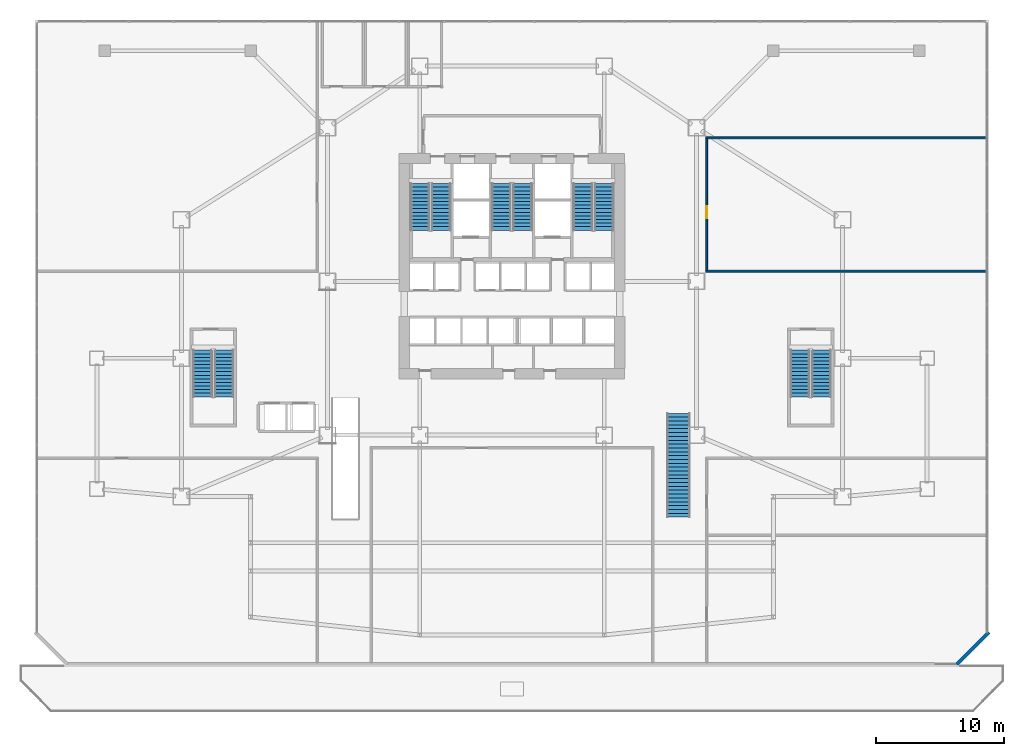
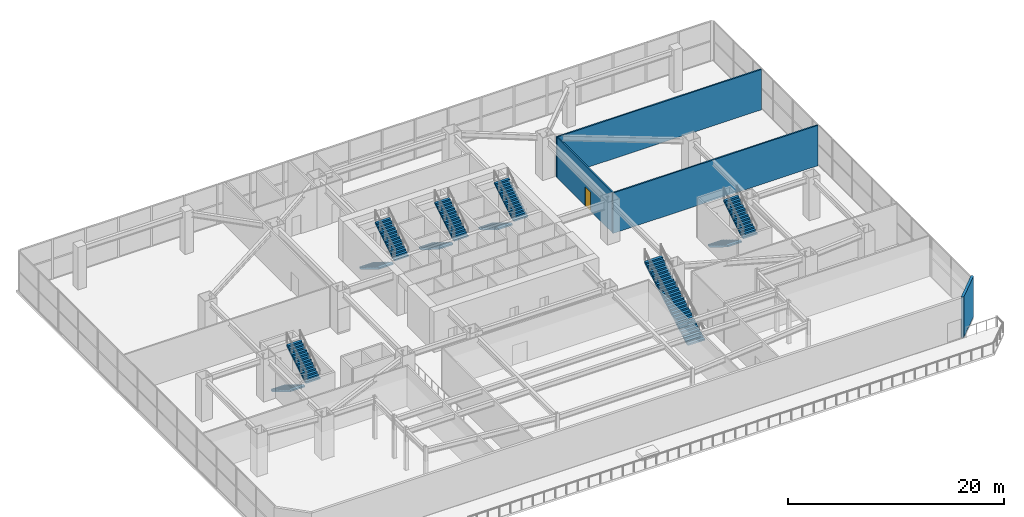
# One storey, part 26 of 31: 11 stair flights, 4 walls, 1 door, 1 opening, 6 elements without a shape of their own.
"""IFC4 building model written with IfcOpenShell, lengths in metres."""

from ifc_helpers import new_model, si_unit, direction, frame, frame_2d, origin, place, context, subcontext, project, spatial, polyline, rectangle, outline, extrude, material, layer, layer_set, type_object, element, fill, aggregate, save


model = new_model("IFC4")

# Units and contexts
model_context = context("Model", 3, precision=1e-05, world=origin(), true_north=direction((0.0, 1.0)))
body_context = subcontext(model_context, "Body", "Model", "MODEL_VIEW")
ifc_project = project(units=[si_unit("LENGTHUNIT", "METRE"), si_unit("AREAUNIT", "SQUARE_METRE"), si_unit("VOLUMEUNIT", "CUBIC_METRE"), si_unit("PLANEANGLEUNIT", "RADIAN"), si_unit("MASSUNIT", "GRAM", prefix="KILO")], contexts=[model_context])

# Site, building, storey
site_placement = place(None, origin())
site = spatial("IfcSite", under=ifc_project, at=site_placement, CompositionType="ELEMENT")
building_placement = place(site_placement, origin())
building = spatial("IfcBuilding", under=site, at=building_placement, Name="Haolan Belvedere Tower", CompositionType="ELEMENT")
storey_placement = place(building_placement, frame((0.0, 0.0, 5.39990234375)))
storey = spatial("IfcBuildingStorey", under=building, at=storey_placement, Name="L01", CompositionType="ELEMENT", Elevation=5.39990234375)

# Walls
ifc_material_1 = material(Name="Precast concrete C40/50", Category="concrete")
ifc_layer_1 = layer(ifc_material_1, 0.260009765625, Name="Precast concrete C40/50")
ifc_layer_set_1 = layer_set([ifc_layer_1], Name="Precast concrete C40/50")
wall_type_1 = type_object("IfcWallType", Name="WL-EXT-260", PredefinedType="SOLIDWALL", material=ifc_layer_set_1)
wall_1_placement = place(storey_placement, frame((73.107421875, 3.691162109375, 0.0), z_axis=(0.0, 0.0, 1.0), x_axis=(0.707106781187, 0.707106781187, 0.0)))
element("IfcWall", 1, at=wall_1_placement, inside=storey, type_object=wall_type_1, Name="L01 pale-metal exterior spandrel wall 1.1", PredefinedType="SOLIDWALL", context=body_context, shape_type="SweptSolid", body=[
    extrude(rectangle(XDim=3.566162109375, YDim=0.260009765625, at=frame_2d((1.783203125, 0.0))), origin(), (0.0, 0.0, 1.0), 4.56005859375),
])
ifc_material_2 = material(Name="Double gypsum acoustic stud partition", Category="masonry")
ifc_layer_2 = layer(ifc_material_2, 0.14990234375, Name="Double gypsum acoustic stud partition")
ifc_layer_set_2 = layer_set([ifc_layer_2], Name="Double gypsum acoustic stud partition")
wall_type_2 = type_object("IfcWallType", Name="WL-PART-150", PredefinedType="PARTITIONING", material=ifc_layer_set_2)
for number, where, z_axis, x_axis, name in (
    (2, (53.52001953125, 44.800048828125, 0.0), (0.0, 0.0, 1.0), (1.0, 0.0, 0.0), "L01 interior partition IW-L01-WINE-N"),
    (3, (53.52001953125, 34.39990234375, 0.0), (0.0, 0.0, 1.0), (1.0, 0.0, 0.0), "L01 interior partition IW-L01-WINE-S"),
):
    element("IfcWall", number, at=place(storey_placement, frame(where, z_axis=z_axis, x_axis=x_axis)), inside=storey, type_object=wall_type_2, Name=name, PredefinedType="PARTITIONING", context=body_context, shape_type="SweptSolid", body=[
        extrude(rectangle(XDim=21.867919921875, YDim=0.14990234375, at=frame_2d((10.93408203125, 0.0))), origin(), (0.0, 0.0, 1.0), 4.56005859375),
    ])

# Wall, opening, door
wall_2_placement = place(storey_placement, frame((53.60009765625, 34.4599609375, 0.0), z_axis=(0.0, 0.0, 1.0), x_axis=(0.0, 1.0, 0.0)))
wall_2 = element("IfcWall", 4, at=wall_2_placement, inside=storey, type_object=wall_type_2, Name="L01 interior partition IW-L01-WINE-W", PredefinedType="PARTITIONING", context=body_context, shape_type="SweptSolid", body=[
    extrude(rectangle(XDim=10.280029296875, YDim=0.14990234375, at=frame_2d((5.14013671875, 0.0))), origin(), (0.0, 0.0, 1.0), 4.56005859375),
])
opening_placement = place(wall_2_placement, frame((4.06005859375, 0.0, 0.0)))
opening = element("IfcOpeningElement", 5, at=opening_placement, cuts=wall_2, Name="Opening ID-03", PredefinedType="OPENING", context=body_context, shape_type="SweptSolid", body=[
    extrude(rectangle(XDim=0.949951171875, YDim=2.1201171875, at=frame_2d((0.47509765625, 1.06005859375))), frame((0.0, 0.0849609375, 0.0), z_axis=(0.0, -1.0, 0.0), x_axis=(1.0, 0.0, 0.0)), (0.0, 0.0, 1.0), 0.169921875),
])
ifc_material_3 = material(Name="Painted solid-core timber", Category="wood")
door_type = type_object("IfcDoorType", Name="DR-INT-950", OperationType="NOTDEFINED", PredefinedType="DOOR", material=ifc_material_3)
door_placement = place(opening_placement, origin())
door = element("IfcDoor", 6, at=door_placement, inside=storey, type_object=door_type, Name="L01 door ID-L01-WINE", OperationType="SINGLE_SWING_RIGHT", OverallHeight=2.1201171875, OverallWidth=0.949951171875, PredefinedType="DOOR", context=body_context, shape_type="SweptSolid", body=[
    extrude(rectangle(XDim=0.949951171875, YDim=2.1201171875, at=frame_2d((0.47509765625, 1.06005859375))), frame((0.0, 0.02490234375, 0.0), z_axis=(0.0, -1.0, 0.0), x_axis=(1.0, 0.0, 0.0)), (0.0, 0.0, 1.0), 0.050048828125),
])
fill(opening, door)

# Stair, stair flights
ifc_material_4 = material(Name="Concrete C40/50", Category="concrete")
stair_type_1 = type_object("IfcStairType", Name="STR-DL-28R-171", PredefinedType="HALF_TURN_STAIR", material=ifc_material_4)
stair_1_placement = place(storey_placement, origin())
stair_1 = element("IfcStair", 7, at=stair_1_placement, inside=storey, type_object=stair_type_1, Name="L01 Smokeproof Core Exit Stair ST1", PredefinedType="HALF_TURN_STAIR")
stair_flight_type_1 = type_object("IfcStairFlightType", Name="SFL-DL-14R-171", PredefinedType="STRAIGHT", material=ifc_material_4)
stair_flight_1_placement = place(storey_placement, frame((31.2099609375, 41.22998046875, 0.0), z_axis=(0.0, 0.0, 1.0), x_axis=(0.0, -1.0, 0.0)))
stair_flight_1 = element("IfcStairFlight", 8, at=stair_flight_1_placement, type_object=stair_flight_type_1, Name="ST1 flight 1", NumberOfRisers=14, NumberOfTreads=13, PredefinedType="STRAIGHT", RiserHeight=0.171428571, TreadLength=0.28, context=body_context, shape_type="SweptSolid", body=[
    extrude(outline(polyline([(0.0, 0.0), (0.0, 0.17138671875), (0.280029296875, 0.17138671875), (0.280029296875, 0.3427734375), (0.56005859375, 0.3427734375), (0.56005859375, 0.514404296875), (0.840087890625, 0.514404296875), (0.840087890625, 0.685791015625), (1.1201171875, 0.685791015625), (1.1201171875, 0.857177734375), (1.39990234375, 0.857177734375), (1.39990234375, 1.028564453125), (1.679931640625, 1.028564453125), (1.679931640625, 1.199951171875), (1.9599609375, 1.199951171875), (1.9599609375, 1.371337890625), (2.239990234375, 1.371337890625), (2.239990234375, 1.54296875), (2.52001953125, 1.54296875), (2.52001953125, 1.71435546875), (2.800048828125, 1.71435546875), (2.800048828125, 1.8857421875), (3.080078125, 1.8857421875), (3.080078125, 2.05712890625), (3.360107421875, 2.05712890625), (3.360107421875, 2.228515625), (3.639892578125, 2.228515625), (3.639892578125, 2.39990234375), (3.639892578125, 2.052734375), (0.287109375, 0.0), (0.0, 0.0)])), frame((0.0, 0.760009765625, 0.0), z_axis=(0.0, -1.0, 0.0), x_axis=(1.0, 0.0, 0.0)), (0.0, 0.0, 1.0), 1.52001953125),
])
stair_flight_2_placement = place(storey_placement, frame((32.8701171875, 37.590087890625, 2.400146484375), z_axis=(0.0, 0.0, 1.0), x_axis=(0.0, 1.0, 0.0)))
stair_flight_2 = element("IfcStairFlight", 9, at=stair_flight_2_placement, type_object=stair_flight_type_1, Name="ST1 flight 2", NumberOfRisers=14, NumberOfTreads=13, PredefinedType="STRAIGHT", RiserHeight=0.171428571, TreadLength=0.28, context=body_context, shape_type="SweptSolid", body=[
    extrude(outline(polyline([(0.0, 0.0), (0.0, 0.17138671875), (0.280029296875, 0.17138671875), (0.280029296875, 0.3427734375), (0.56005859375, 0.3427734375), (0.56005859375, 0.514404296875), (0.840087890625, 0.514404296875), (0.840087890625, 0.685791015625), (1.1201171875, 0.685791015625), (1.1201171875, 0.857177734375), (1.39990234375, 0.857177734375), (1.39990234375, 1.028564453125), (1.679931640625, 1.028564453125), (1.679931640625, 1.199951171875), (1.9599609375, 1.199951171875), (1.9599609375, 1.371337890625), (2.239990234375, 1.371337890625), (2.239990234375, 1.54296875), (2.52001953125, 1.54296875), (2.52001953125, 1.71435546875), (2.800048828125, 1.71435546875), (2.800048828125, 1.8857421875), (3.080078125, 1.8857421875), (3.080078125, 2.05712890625), (3.360107421875, 2.05712890625), (3.360107421875, 2.228515625), (3.639892578125, 2.228515625), (3.639892578125, 2.39990234375), (3.639892578125, 2.052734375), (0.287109375, 0.0), (0.0, 0.0)])), frame((0.0, 0.760009765625, 0.0), z_axis=(0.0, -1.0, 0.0), x_axis=(1.0, 0.0, 0.0)), (0.0, 0.0, 1.0), 1.52001953125),
])
aggregate(stair_1, [stair_flight_1, stair_flight_2])

stair_2_placement = place(storey_placement, origin())
stair_2 = element("IfcStair", 10, at=stair_2_placement, inside=storey, type_object=stair_type_1, Name="L01 Smokeproof Core Exit Stair ST3", PredefinedType="HALF_TURN_STAIR")
stair_flight_3_placement = place(storey_placement, frame((37.570068359375, 41.22998046875, 0.0), z_axis=(0.0, 0.0, 1.0), x_axis=(0.0, -1.0, 0.0)))
stair_flight_3 = element("IfcStairFlight", 11, at=stair_flight_3_placement, type_object=stair_flight_type_1, Name="ST3 flight 1", NumberOfRisers=14, NumberOfTreads=13, PredefinedType="STRAIGHT", RiserHeight=0.171428571, TreadLength=0.28, context=body_context, shape_type="SweptSolid", body=[
    extrude(outline(polyline([(0.0, 0.0), (0.0, 0.17138671875), (0.280029296875, 0.17138671875), (0.280029296875, 0.3427734375), (0.56005859375, 0.3427734375), (0.56005859375, 0.514404296875), (0.840087890625, 0.514404296875), (0.840087890625, 0.685791015625), (1.1201171875, 0.685791015625), (1.1201171875, 0.857177734375), (1.39990234375, 0.857177734375), (1.39990234375, 1.028564453125), (1.679931640625, 1.028564453125), (1.679931640625, 1.199951171875), (1.9599609375, 1.199951171875), (1.9599609375, 1.371337890625), (2.239990234375, 1.371337890625), (2.239990234375, 1.54296875), (2.52001953125, 1.54296875), (2.52001953125, 1.71435546875), (2.800048828125, 1.71435546875), (2.800048828125, 1.8857421875), (3.080078125, 1.8857421875), (3.080078125, 2.05712890625), (3.360107421875, 2.05712890625), (3.360107421875, 2.228515625), (3.639892578125, 2.228515625), (3.639892578125, 2.39990234375), (3.639892578125, 2.052734375), (0.287109375, 0.0), (0.0, 0.0)])), frame((0.0, 0.760009765625, 0.0), z_axis=(0.0, -1.0, 0.0), x_axis=(1.0, 0.0, 0.0)), (0.0, 0.0, 1.0), 1.52001953125),
])
stair_flight_4_placement = place(storey_placement, frame((39.22998046875, 37.590087890625, 2.400146484375), z_axis=(0.0, 0.0, 1.0), x_axis=(0.0, 1.0, 0.0)))
stair_flight_4 = element("IfcStairFlight", 12, at=stair_flight_4_placement, type_object=stair_flight_type_1, Name="ST3 flight 2", NumberOfRisers=14, NumberOfTreads=13, PredefinedType="STRAIGHT", RiserHeight=0.171428571, TreadLength=0.28, context=body_context, shape_type="SweptSolid", body=[
    extrude(outline(polyline([(0.0, 0.0), (0.0, 0.17138671875), (0.280029296875, 0.17138671875), (0.280029296875, 0.3427734375), (0.56005859375, 0.3427734375), (0.56005859375, 0.514404296875), (0.840087890625, 0.514404296875), (0.840087890625, 0.685791015625), (1.1201171875, 0.685791015625), (1.1201171875, 0.857177734375), (1.39990234375, 0.857177734375), (1.39990234375, 1.028564453125), (1.679931640625, 1.028564453125), (1.679931640625, 1.199951171875), (1.9599609375, 1.199951171875), (1.9599609375, 1.371337890625), (2.239990234375, 1.371337890625), (2.239990234375, 1.54296875), (2.52001953125, 1.54296875), (2.52001953125, 1.71435546875), (2.800048828125, 1.71435546875), (2.800048828125, 1.8857421875), (3.080078125, 1.8857421875), (3.080078125, 2.05712890625), (3.360107421875, 2.05712890625), (3.360107421875, 2.228515625), (3.639892578125, 2.228515625), (3.639892578125, 2.39990234375), (3.639892578125, 2.052734375), (0.287109375, 0.0), (0.0, 0.0)])), frame((0.0, 0.760009765625, 0.0), z_axis=(0.0, -1.0, 0.0), x_axis=(1.0, 0.0, 0.0)), (0.0, 0.0, 1.0), 1.52001953125),
])
aggregate(stair_2, [stair_flight_3, stair_flight_4])

stair_3_placement = place(storey_placement, origin())
stair_3 = element("IfcStair", 13, at=stair_3_placement, inside=storey, type_object=stair_type_1, Name="L01 Smokeproof Core Exit Stair ST2", PredefinedType="HALF_TURN_STAIR")
stair_flight_5_placement = place(storey_placement, frame((43.929931640625, 41.22998046875, 0.0), z_axis=(0.0, 0.0, 1.0), x_axis=(0.0, -1.0, 0.0)))
stair_flight_5 = element("IfcStairFlight", 14, at=stair_flight_5_placement, type_object=stair_flight_type_1, Name="ST2 flight 1", NumberOfRisers=14, NumberOfTreads=13, PredefinedType="STRAIGHT", RiserHeight=0.171428571, TreadLength=0.28, context=body_context, shape_type="SweptSolid", body=[
    extrude(outline(polyline([(0.0, 0.0), (0.0, 0.17138671875), (0.280029296875, 0.17138671875), (0.280029296875, 0.3427734375), (0.56005859375, 0.3427734375), (0.56005859375, 0.514404296875), (0.840087890625, 0.514404296875), (0.840087890625, 0.685791015625), (1.1201171875, 0.685791015625), (1.1201171875, 0.857177734375), (1.39990234375, 0.857177734375), (1.39990234375, 1.028564453125), (1.679931640625, 1.028564453125), (1.679931640625, 1.199951171875), (1.9599609375, 1.199951171875), (1.9599609375, 1.371337890625), (2.239990234375, 1.371337890625), (2.239990234375, 1.54296875), (2.52001953125, 1.54296875), (2.52001953125, 1.71435546875), (2.800048828125, 1.71435546875), (2.800048828125, 1.8857421875), (3.080078125, 1.8857421875), (3.080078125, 2.05712890625), (3.360107421875, 2.05712890625), (3.360107421875, 2.228515625), (3.639892578125, 2.228515625), (3.639892578125, 2.39990234375), (3.639892578125, 2.052734375), (0.287109375, 0.0), (0.0, 0.0)])), frame((0.0, 0.760009765625, 0.0), z_axis=(0.0, -1.0, 0.0), x_axis=(1.0, 0.0, 0.0)), (0.0, 0.0, 1.0), 1.52001953125),
])
stair_flight_6_placement = place(storey_placement, frame((45.590087890625, 37.590087890625, 2.400146484375), z_axis=(0.0, 0.0, 1.0), x_axis=(0.0, 1.0, 0.0)))
stair_flight_6 = element("IfcStairFlight", 15, at=stair_flight_6_placement, type_object=stair_flight_type_1, Name="ST2 flight 2", NumberOfRisers=14, NumberOfTreads=13, PredefinedType="STRAIGHT", RiserHeight=0.171428571, TreadLength=0.28, context=body_context, shape_type="SweptSolid", body=[
    extrude(outline(polyline([(0.0, 0.0), (0.0, 0.17138671875), (0.280029296875, 0.17138671875), (0.280029296875, 0.3427734375), (0.56005859375, 0.3427734375), (0.56005859375, 0.514404296875), (0.840087890625, 0.514404296875), (0.840087890625, 0.685791015625), (1.1201171875, 0.685791015625), (1.1201171875, 0.857177734375), (1.39990234375, 0.857177734375), (1.39990234375, 1.028564453125), (1.679931640625, 1.028564453125), (1.679931640625, 1.199951171875), (1.9599609375, 1.199951171875), (1.9599609375, 1.371337890625), (2.239990234375, 1.371337890625), (2.239990234375, 1.54296875), (2.52001953125, 1.54296875), (2.52001953125, 1.71435546875), (2.800048828125, 1.71435546875), (2.800048828125, 1.8857421875), (3.080078125, 1.8857421875), (3.080078125, 2.05712890625), (3.360107421875, 2.05712890625), (3.360107421875, 2.228515625), (3.639892578125, 2.228515625), (3.639892578125, 2.39990234375), (3.639892578125, 2.052734375), (0.287109375, 0.0), (0.0, 0.0)])), frame((0.0, 0.760009765625, 0.0), z_axis=(0.0, -1.0, 0.0), x_axis=(1.0, 0.0, 0.0)), (0.0, 0.0, 1.0), 1.52001953125),
])
aggregate(stair_3, [stair_flight_5, stair_flight_6])

stair_4_placement = place(storey_placement, origin())
stair_4 = element("IfcStair", 16, at=stair_4_placement, inside=storey, type_object=stair_type_1, Name="L01 West Podium Protected Exit Stair ST4", PredefinedType="HALF_TURN_STAIR")
stair_flight_7_placement = place(storey_placement, frame((14.260009765625, 28.22998046875, 0.0), z_axis=(0.0, 0.0, 1.0), x_axis=(0.0, -1.0, 0.0)))
stair_flight_7 = element("IfcStairFlight", 17, at=stair_flight_7_placement, type_object=stair_flight_type_1, Name="ST4 flight 1", NumberOfRisers=14, NumberOfTreads=13, PredefinedType="STRAIGHT", RiserHeight=0.171428571, TreadLength=0.28, context=body_context, shape_type="SweptSolid", body=[
    extrude(outline(polyline([(0.0, 0.0), (0.0, 0.17138671875), (0.280029296875, 0.17138671875), (0.280029296875, 0.3427734375), (0.56005859375, 0.3427734375), (0.56005859375, 0.514404296875), (0.840087890625, 0.514404296875), (0.840087890625, 0.685791015625), (1.1201171875, 0.685791015625), (1.1201171875, 0.857177734375), (1.39990234375, 0.857177734375), (1.39990234375, 1.028564453125), (1.679931640625, 1.028564453125), (1.679931640625, 1.199951171875), (1.9599609375, 1.199951171875), (1.9599609375, 1.371337890625), (2.239990234375, 1.371337890625), (2.239990234375, 1.54296875), (2.52001953125, 1.54296875), (2.52001953125, 1.71435546875), (2.800048828125, 1.71435546875), (2.800048828125, 1.8857421875), (3.080078125, 1.8857421875), (3.080078125, 2.05712890625), (3.360107421875, 2.05712890625), (3.360107421875, 2.228515625), (3.639892578125, 2.228515625), (3.639892578125, 2.39990234375), (3.639892578125, 2.052734375), (0.287109375, 0.0), (0.0, 0.0)])), frame((0.0, 0.760009765625, 0.0), z_axis=(0.0, -1.0, 0.0), x_axis=(1.0, 0.0, 0.0)), (0.0, 0.0, 1.0), 1.52001953125),
])
stair_flight_8_placement = place(storey_placement, frame((15.919921875, 24.590087890625, 2.400146484375), z_axis=(0.0, 0.0, 1.0), x_axis=(0.0, 1.0, 0.0)))
stair_flight_8 = element("IfcStairFlight", 18, at=stair_flight_8_placement, type_object=stair_flight_type_1, Name="ST4 flight 2", NumberOfRisers=14, NumberOfTreads=13, PredefinedType="STRAIGHT", RiserHeight=0.171428571, TreadLength=0.28, context=body_context, shape_type="SweptSolid", body=[
    extrude(outline(polyline([(0.0, 0.0), (0.0, 0.17138671875), (0.280029296875, 0.17138671875), (0.280029296875, 0.3427734375), (0.56005859375, 0.3427734375), (0.56005859375, 0.514404296875), (0.840087890625, 0.514404296875), (0.840087890625, 0.685791015625), (1.1201171875, 0.685791015625), (1.1201171875, 0.857177734375), (1.39990234375, 0.857177734375), (1.39990234375, 1.028564453125), (1.679931640625, 1.028564453125), (1.679931640625, 1.199951171875), (1.9599609375, 1.199951171875), (1.9599609375, 1.371337890625), (2.239990234375, 1.371337890625), (2.239990234375, 1.54296875), (2.52001953125, 1.54296875), (2.52001953125, 1.71435546875), (2.800048828125, 1.71435546875), (2.800048828125, 1.8857421875), (3.080078125, 1.8857421875), (3.080078125, 2.05712890625), (3.360107421875, 2.05712890625), (3.360107421875, 2.228515625), (3.639892578125, 2.228515625), (3.639892578125, 2.39990234375), (3.639892578125, 2.052734375), (0.287109375, 0.0), (0.0, 0.0)])), frame((0.0, 0.760009765625, 0.0), z_axis=(0.0, -1.0, 0.0), x_axis=(1.0, 0.0, 0.0)), (0.0, 0.0, 1.0), 1.52001953125),
])
aggregate(stair_4, [stair_flight_7, stair_flight_8])

stair_5_placement = place(storey_placement, origin())
stair_5 = element("IfcStair", 19, at=stair_5_placement, inside=storey, type_object=stair_type_1, Name="L01 East Podium Protected Exit Stair ST5", PredefinedType="HALF_TURN_STAIR")
stair_flight_9_placement = place(storey_placement, frame((60.8798828125, 28.22998046875, 0.0), z_axis=(0.0, 0.0, 1.0), x_axis=(0.0, -1.0, 0.0)))
stair_flight_9 = element("IfcStairFlight", 20, at=stair_flight_9_placement, type_object=stair_flight_type_1, Name="ST5 flight 1", NumberOfRisers=14, NumberOfTreads=13, PredefinedType="STRAIGHT", RiserHeight=0.171428571, TreadLength=0.28, context=body_context, shape_type="SweptSolid", body=[
    extrude(outline(polyline([(0.0, 0.0), (0.0, 0.17138671875), (0.280029296875, 0.17138671875), (0.280029296875, 0.3427734375), (0.56005859375, 0.3427734375), (0.56005859375, 0.514404296875), (0.840087890625, 0.514404296875), (0.840087890625, 0.685791015625), (1.1201171875, 0.685791015625), (1.1201171875, 0.857177734375), (1.39990234375, 0.857177734375), (1.39990234375, 1.028564453125), (1.679931640625, 1.028564453125), (1.679931640625, 1.199951171875), (1.9599609375, 1.199951171875), (1.9599609375, 1.371337890625), (2.239990234375, 1.371337890625), (2.239990234375, 1.54296875), (2.52001953125, 1.54296875), (2.52001953125, 1.71435546875), (2.800048828125, 1.71435546875), (2.800048828125, 1.8857421875), (3.080078125, 1.8857421875), (3.080078125, 2.05712890625), (3.360107421875, 2.05712890625), (3.360107421875, 2.228515625), (3.639892578125, 2.228515625), (3.639892578125, 2.39990234375), (3.639892578125, 2.052734375), (0.287109375, 0.0), (0.0, 0.0)])), frame((0.0, 0.760009765625, 0.0), z_axis=(0.0, -1.0, 0.0), x_axis=(1.0, 0.0, 0.0)), (0.0, 0.0, 1.0), 1.52001953125),
])
stair_flight_10_placement = place(storey_placement, frame((62.5400390625, 24.590087890625, 2.400146484375), z_axis=(0.0, 0.0, 1.0), x_axis=(0.0, 1.0, 0.0)))
stair_flight_10 = element("IfcStairFlight", 21, at=stair_flight_10_placement, type_object=stair_flight_type_1, Name="ST5 flight 2", NumberOfRisers=14, NumberOfTreads=13, PredefinedType="STRAIGHT", RiserHeight=0.171428571, TreadLength=0.28, context=body_context, shape_type="SweptSolid", body=[
    extrude(outline(polyline([(0.0, 0.0), (0.0, 0.17138671875), (0.280029296875, 0.17138671875), (0.280029296875, 0.3427734375), (0.56005859375, 0.3427734375), (0.56005859375, 0.514404296875), (0.840087890625, 0.514404296875), (0.840087890625, 0.685791015625), (1.1201171875, 0.685791015625), (1.1201171875, 0.857177734375), (1.39990234375, 0.857177734375), (1.39990234375, 1.028564453125), (1.679931640625, 1.028564453125), (1.679931640625, 1.199951171875), (1.9599609375, 1.199951171875), (1.9599609375, 1.371337890625), (2.239990234375, 1.371337890625), (2.239990234375, 1.54296875), (2.52001953125, 1.54296875), (2.52001953125, 1.71435546875), (2.800048828125, 1.71435546875), (2.800048828125, 1.8857421875), (3.080078125, 1.8857421875), (3.080078125, 2.05712890625), (3.360107421875, 2.05712890625), (3.360107421875, 2.228515625), (3.639892578125, 2.228515625), (3.639892578125, 2.39990234375), (3.639892578125, 2.052734375), (0.287109375, 0.0), (0.0, 0.0)])), frame((0.0, 0.760009765625, 0.0), z_axis=(0.0, -1.0, 0.0), x_axis=(1.0, 0.0, 0.0)), (0.0, 0.0, 1.0), 1.52001953125),
])
aggregate(stair_5, [stair_flight_9, stair_flight_10])

# Stair, stair flight
stair_type_2 = type_object("IfcStairType", Name="STR-STR-ST7", PredefinedType="STRAIGHT_RUN_STAIR", material=ifc_material_1)
stair_6_placement = place(storey_placement, origin())
stair_6 = element("IfcStair", 22, at=stair_6_placement, inside=storey, type_object=stair_type_2, Name="L01 feature straight stair ST7", PredefinedType="STRAIGHT_RUN_STAIR")
stair_flight_type_2 = type_object("IfcStairFlightType", Name="SFL-STR-ST7", PredefinedType="STRAIGHT", material=ifc_material_1)
stair_flight_11_placement = place(storey_placement, frame((51.39990234375, 15.199951171875, 0.0), z_axis=(0.0, 0.0, 1.0), x_axis=(0.0, 1.0, 0.0)))
stair_flight_11 = element("IfcStairFlight", 23, at=stair_flight_11_placement, type_object=stair_flight_type_2, Name="ST7 flight 1", NumberOfRisers=28, NumberOfTreads=27, PredefinedType="STRAIGHT", RiserHeight=0.171428571, TreadLength=0.3, context=body_context, shape_type="SweptSolid", body=[
    extrude(outline(polyline([(0.0, 0.0), (0.0, 0.17138671875), (0.300048828125, 0.17138671875), (0.300048828125, 0.3427734375), (0.60009765625, 0.3427734375), (0.60009765625, 0.514404296875), (0.89990234375, 0.514404296875), (0.89990234375, 0.685791015625), (1.199951171875, 0.685791015625), (1.199951171875, 0.857177734375), (1.5, 0.857177734375), (1.5, 1.028564453125), (1.800048828125, 1.028564453125), (1.800048828125, 1.199951171875), (2.10009765625, 1.199951171875), (2.10009765625, 1.371337890625), (2.39990234375, 1.371337890625), (2.39990234375, 1.54296875), (2.699951171875, 1.54296875), (2.699951171875, 1.71435546875), (3.0, 1.71435546875), (3.0, 1.8857421875), (3.300048828125, 1.8857421875), (3.300048828125, 2.05712890625), (3.60009765625, 2.05712890625), (3.60009765625, 2.228515625), (3.89990234375, 2.228515625), (3.89990234375, 2.39990234375), (4.199951171875, 2.39990234375), (4.199951171875, 2.571533203125), (4.5, 2.571533203125), (4.5, 2.742919921875), (4.800048828125, 2.742919921875), (4.800048828125, 2.914306640625), (5.10009765625, 2.914306640625), (5.10009765625, 3.085693359375), (5.39990234375, 3.085693359375), (5.39990234375, 3.257080078125), (5.699951171875, 3.257080078125), (5.699951171875, 3.428466796875), (6.0, 3.428466796875), (6.0, 3.60009765625), (6.300048828125, 3.60009765625), (6.300048828125, 3.771484375), (6.60009765625, 3.771484375), (6.60009765625, 3.94287109375), (6.89990234375, 3.94287109375), (6.89990234375, 4.1142578125), (7.199951171875, 4.1142578125), (7.199951171875, 4.28564453125), (7.5, 4.28564453125), (7.5, 4.45703125), (7.800048828125, 4.45703125), (7.800048828125, 4.628662109375), (8.10009765625, 4.628662109375), (8.10009765625, 4.800048828125), (8.10009765625, 4.42138671875), (0.362548828125, 0.0), (0.0, 0.0)])), frame((0.0, 0.89990234375, 0.0), z_axis=(0.0, -1.0, 0.0), x_axis=(1.0, 0.0, 0.0)), (0.0, 0.0, 1.0), 1.800048828125),
])
aggregate(stair_6, [stair_flight_11])

save(model, "model.ifc")
